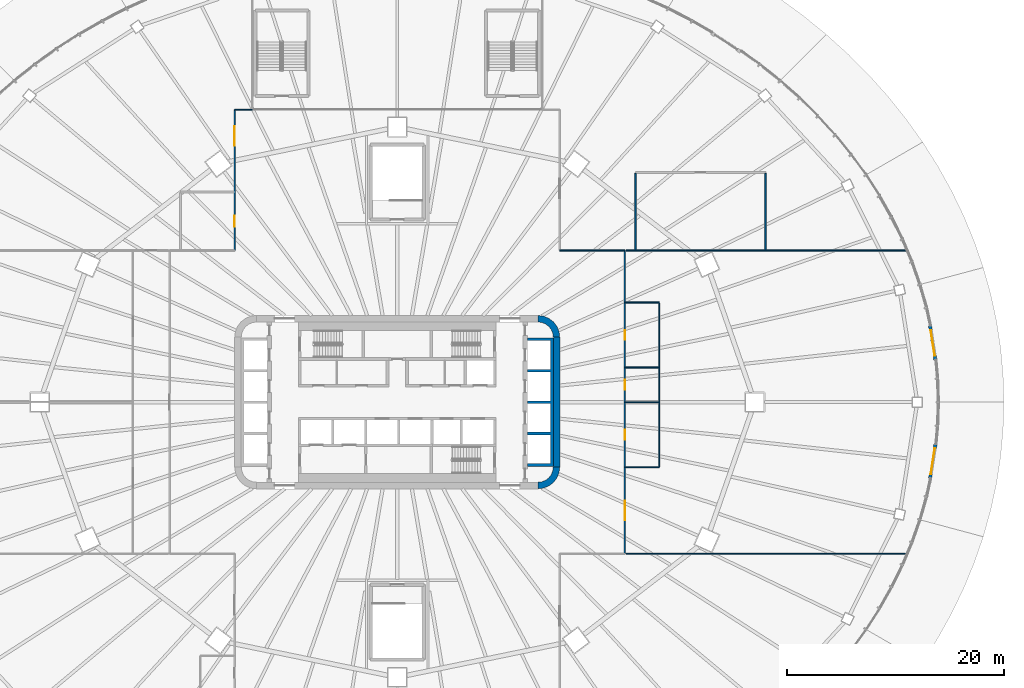
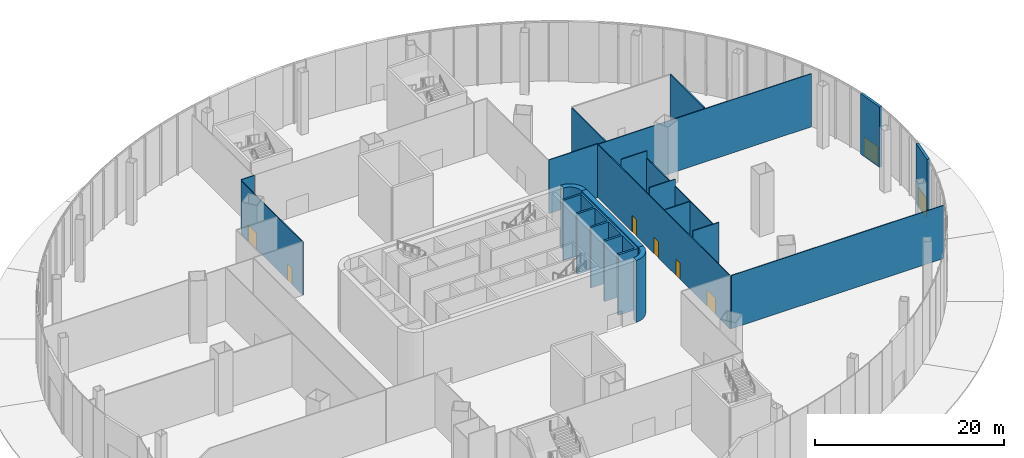
# One storey, part 19 of 36: 19 walls, 8 doors, 8 openings.
"""IFC4 building model written with IfcOpenShell, lengths in metres."""

import ifcopenshell
import ifcopenshell.guid

model = None  # the IFC model being written
_history = None  # IfcOwnerHistory: only IFC2X3 demands one
_inside = {}  # id of a spatial element -> (the spatial element, [elements in it])
_under = {}  # id of a project, library or spatial element -> (it, [spatial elements below it])
_declared = {}  # id of a project -> (the project, [libraries it declares])
_typed = {}  # id of a type object -> (the type object, [elements of that type])
_made_of = {}  # id of a material, layer set ... -> (it, [elements and type objects made of it])


def new_model(schema):
    """Start an empty IFC model of exactly this schema.

    Asked for "IFC4X3", IfcOpenShell would pick the latest addendum, in which some entities
    have other attributes; the version numbers below select the first issue.
    IFC2X3 requires an IfcOwnerHistory on every rooted entity: one is made here for all.
    """
    global model, _history
    if schema == "IFC4X3":
        model = ifcopenshell.file(schema_version=(4, 3, 0, 0))
    else:
        model = ifcopenshell.file(schema=schema)
    _inside.clear()
    _under.clear()
    _declared.clear()
    _typed.clear()
    _made_of.clear()
    _history = None
    if model.schema == "IFC2X3":
        org = make("IfcOrganization", Name="unknown")
        user = make(
            "IfcPersonAndOrganization",
            ThePerson=make("IfcPerson", FamilyName="unknown"),
            TheOrganization=org,
        )
        app = make(
            "IfcApplication",
            ApplicationDeveloper=org,
            Version="unknown",
            ApplicationFullName="unknown",
            ApplicationIdentifier="unknown",
        )
        _history = make(
            "IfcOwnerHistory",
            OwningUser=user,
            OwningApplication=app,
            ChangeAction="ADDED",
            CreationDate=0,
        )
    return model


def make(cls, **values):
    """One entity of the class cls with the attributes given. An attribute that is None is left unset."""
    return model.create_entity(
        cls, **{name: value for name, value in values.items() if value is not None}
    )


def rooted(cls, **values):
    """An entity with a GlobalId (a new one), such as an element, a storey or a relation."""
    return make(cls, GlobalId=ifcopenshell.guid.new(), OwnerHistory=_history, **values)


def si_unit(unit_type, name, prefix=None):
    """IfcSIUnit, for example si_unit("LENGTHUNIT", "METRE", prefix="MILLI")."""
    return make("IfcSIUnit", UnitType=unit_type, Prefix=prefix, Name=name)


def assignment(units):
    """IfcUnitAssignment: the units of a project."""
    return None if units is None else make("IfcUnitAssignment", Units=units)


def point(xyz):
    """IfcCartesianPoint."""
    return None if xyz is None else make("IfcCartesianPoint", Coordinates=xyz)


def direction(xyz):
    """IfcDirection."""
    return None if xyz is None else make("IfcDirection", DirectionRatios=xyz)


def frame(location, z_axis=None, x_axis=None):
    """IfcAxis2Placement3D, a coordinate frame: its origin and axes. An axis left out is left unset."""
    return make(
        "IfcAxis2Placement3D",
        Location=point(location),
        Axis=direction(z_axis),
        RefDirection=direction(x_axis),
    )


def frame_2d(location, x_axis=None):
    """IfcAxis2Placement2D, a coordinate frame in the plane: its origin and x axis."""
    return make(
        "IfcAxis2Placement2D", Location=point(location), RefDirection=direction(x_axis)
    )


def origin():
    """The frame at (0, 0, 0) with its axes left unset."""
    return frame((0.0, 0.0, 0.0))


def place(relative_to, where):
    """IfcLocalPlacement: puts the frame where relative to a parent placement (None: the world)."""
    return make(
        "IfcLocalPlacement", PlacementRelTo=relative_to, RelativePlacement=where
    )


def context(
    kind, dimensions, precision=None, world=None, true_north=None, identifier=None
):
    """IfcGeometricRepresentationContext, for example the 3D "Model" context."""
    return make(
        "IfcGeometricRepresentationContext",
        ContextIdentifier=identifier,
        ContextType=kind,
        CoordinateSpaceDimension=dimensions,
        Precision=precision,
        WorldCoordinateSystem=world,
        TrueNorth=true_north,
    )


def subcontext(parent, identifier, kind, view, scale=None):
    """IfcGeometricRepresentationSubContext, for example "Body" below "Model"."""
    return make(
        "IfcGeometricRepresentationSubContext",
        ContextIdentifier=identifier,
        ContextType=kind,
        ParentContext=parent,
        TargetScale=scale,
        TargetView=view,
    )


def project(units=None, contexts=None):
    """IfcProject with its units and contexts."""
    return rooted(
        "IfcProject",
        Name="project",
        RepresentationContexts=contexts,
        UnitsInContext=assignment(units),
    )


def spatial(cls, under=None, at=None, **own):
    """A site, building, storey or space (cls), placed at a placement, below another one or the project."""
    s = rooted(cls, ObjectPlacement=at, **own)
    if under is not None:
        _under.setdefault(under.id(), (under, []))[1].append(s)
    return s


def polyline(points):
    """IfcPolyline through the points."""
    return make("IfcPolyline", Points=[point(p) for p in points])


def profile(cls, at=None, kind="AREA", **sizes):
    """A parametric profile (cls). Its sizes go by their IFC names, for example OverallWidth=200.0."""
    return make(cls, ProfileType=kind, Position=at, **sizes)


def rectangle(**sizes):
    """IfcRectangleProfileDef."""
    return profile("IfcRectangleProfileDef", **sizes)


def outline(outer, holes=None, kind="AREA"):
    """IfcArbitraryClosedProfileDef: a profile drawn as a closed curve; with holes, ...WithVoids."""
    if holes is None:
        return make("IfcArbitraryClosedProfileDef", ProfileType=kind, OuterCurve=outer)
    return make(
        "IfcArbitraryProfileDefWithVoids",
        ProfileType=kind,
        OuterCurve=outer,
        InnerCurves=holes,
    )


def extrude(swept, where, along, depth):
    """IfcExtrudedAreaSolid: the profile swept, set in the frame where, extruded along a direction by depth."""
    return make(
        "IfcExtrudedAreaSolid",
        SweptArea=swept,
        Position=where,
        ExtrudedDirection=direction(along),
        Depth=depth,
    )


def shape(context_of_items, identifier, shape_type, items):
    """IfcShapeRepresentation: the items that make up one representation, for example the "Body"."""
    return make(
        "IfcShapeRepresentation",
        ContextOfItems=context_of_items,
        RepresentationIdentifier=identifier,
        RepresentationType=shape_type,
        Items=items,
    )


def material(Name=None, Category=None):
    """IfcMaterial."""
    return make("IfcMaterial", Name=Name, Category=Category)


def layer(
    of_material, thickness, ventilated=None, Name=None, Category=None, Priority=None
):
    """IfcMaterialLayer: one layer of a wall or slab, of a material (None: an air gap)."""
    return make(
        "IfcMaterialLayer",
        Material=of_material,
        LayerThickness=thickness,
        IsVentilated=ventilated,
        Name=Name,
        Category=Category,
        Priority=Priority,
    )


def layer_set(layers, Name=None):
    """IfcMaterialLayerSet."""
    return make("IfcMaterialLayerSet", MaterialLayers=layers, LayerSetName=Name)


def made_of(thing, what):
    """Note that an element or type object is made of a material, layer set ...; save() writes the relation."""
    if what is not None:
        _made_of.setdefault(what.id(), (what, []))[1].append(thing)
    return thing


def type_object(cls, material=None, **own):
    """A type object (cls), such as IfcWallType, which elements share."""
    return made_of(rooted(cls, **own), material)


def element(
    cls,
    number,
    at=None,
    inside=None,
    cuts=None,
    type_object=None,
    material=None,
    context=None,
    identifier="Body",
    shape_type=None,
    held_by="IfcProductDefinitionShape",
    body=None,
    shapes=None,
    **own,
):
    """One element of the class cls, such as IfcWall. Its Tag is "e" and its number.

    at: its placement. inside: the storey or other place that contains it. cuts: it is an
    opening in that element (IfcRelVoidsElement). A single representation is given by context,
    identifier, shape_type and body (its items); several are given by shapes. held_by: the class
    of the entity that holds the representations. save() writes the other relations.
    """
    e = rooted(cls, Tag="e%d" % number, ObjectPlacement=at, **own)
    if body is not None:
        shapes = [shape(context, identifier, shape_type, body)]
    if shapes is not None:
        e.Representation = make(held_by, Representations=shapes)
    if inside is not None:
        _inside.setdefault(inside.id(), (inside, []))[1].append(e)
    if cuts is not None:
        rooted(
            "IfcRelVoidsElement", RelatingBuildingElement=cuts, RelatedOpeningElement=e
        )
    if type_object is not None:
        _typed.setdefault(type_object.id(), (type_object, []))[1].append(e)
    return made_of(e, material)


def fill(opening, filler):
    """IfcRelFillsElement: the door or window that sits in an opening."""
    return rooted(
        "IfcRelFillsElement",
        RelatingOpeningElement=opening,
        RelatedBuildingElement=filler,
    )


def aggregate(whole, parts):
    """IfcRelAggregates: a whole, such as a stair, and the parts it consists of."""
    return rooted("IfcRelAggregates", RelatingObject=whole, RelatedObjects=parts)


def save(model, path):
    """Write the relations noted so far, then the file.

    IfcRelAggregates (storeys below a building ...), IfcRelContainedInSpatialStructure (elements
    in a storey), IfcRelDefinesByType, IfcRelAssociatesMaterial and IfcRelDeclares: one each for
    every whole, place, type object, material and project.
    """
    for whole, parts in _under.values():
        aggregate(whole, parts)
    for where, things in _inside.values():
        rooted(
            "IfcRelContainedInSpatialStructure",
            RelatedElements=things,
            RelatingStructure=where,
        )
    for kind, things in _typed.values():
        rooted("IfcRelDefinesByType", RelatedObjects=things, RelatingType=kind)
    for what, things in _made_of.values():
        rooted("IfcRelAssociatesMaterial", RelatedObjects=things, RelatingMaterial=what)
    for by, libraries in _declared.values():
        rooted("IfcRelDeclares", RelatingContext=by, RelatedDefinitions=libraries)
    model.write(path)


model = new_model("IFC4")

# Units and contexts
model_context = context("Model", 3, precision=1e-05, world=origin(), true_north=direction((0.0, 1.0)))
body_context = subcontext(model_context, "Body", "Model", "MODEL_VIEW")
ifc_project = project(units=[si_unit("LENGTHUNIT", "METRE"), si_unit("AREAUNIT", "SQUARE_METRE"), si_unit("VOLUMEUNIT", "CUBIC_METRE"), si_unit("PLANEANGLEUNIT", "RADIAN"), si_unit("MASSUNIT", "GRAM", prefix="KILO")], contexts=[model_context])

# Site, building, storey
site_placement = place(None, origin())
site = spatial("IfcSite", under=ifc_project, at=site_placement, CompositionType="ELEMENT")
building_placement = place(site_placement, origin())
building = spatial("IfcBuilding", under=site, at=building_placement, Name="Sahrelin Media Tower", CompositionType="ELEMENT")
storey_placement = place(building_placement, origin())
storey = spatial("IfcBuildingStorey", under=building, at=storey_placement, Name="L00", CompositionType="ELEMENT", Elevation=0.0)

# Walls
ifc_material_1 = material(Name="Concrete C60/75", Category="concrete")
ifc_layer_1 = layer(ifc_material_1, 0.60009765625)
ifc_layer_set_1 = layer_set([ifc_layer_1], Name="Core wall 600")
wall_type_1 = type_object("IfcWallType", Name="Core wall 600", PredefinedType="SHEAR", material=ifc_layer_set_1)
wall_1_placement = place(storey_placement, frame((14.699951171875, -6.0, 0.0), z_axis=(0.0, 0.0, 1.0), x_axis=(0.0, 1.0, 0.0)))
element("IfcWall", 1, at=wall_1_placement, inside=storey, type_object=wall_type_1, Name="Core wall E L00", PredefinedType="SHEAR", context=body_context, shape_type="SweptSolid", body=[
    extrude(rectangle(XDim=12.0, YDim=0.60009765625, at=frame_2d((6.0, 0.0))), origin(), (0.0, 0.0, 1.0), 8.0),
])
placement = place(storey_placement, origin())
element("IfcWall", 2, at=placement, inside=storey, type_object=wall_type_1, Name="Core wall corner NE L00", PredefinedType="SHEAR", context=body_context, shape_type="SweptSolid", body=[
    extrude(outline(polyline([(13.0, 8.0), (13.0, 7.394775390625), (13.361083984375, 7.347412109375), (13.697509765625, 7.2080078125), (13.986328125, 6.986328125), (14.2080078125, 6.697509765625), (14.347412109375, 6.361083984375), (14.394775390625, 6.0), (15.0, 6.0), (14.931884765625, 6.517578125), (14.732177734375, 7.0), (14.414306640625, 7.414306640625), (14.0, 7.732177734375), (13.517578125, 7.931884765625), (13.0, 8.0)])), origin(), (0.0, 0.0, 1.0), 8.0),
])
element("IfcWall", 3, at=placement, inside=storey, type_object=wall_type_1, Name="Core wall corner SE L00", PredefinedType="SHEAR", context=body_context, shape_type="SweptSolid", body=[
    extrude(outline(polyline([(15.0, -6.0), (14.394775390625, -6.0), (14.347412109375, -6.361083984375), (14.2080078125, -6.697509765625), (13.986328125, -6.986328125), (13.697509765625, -7.2080078125), (13.361083984375, -7.347412109375), (13.0, -7.394775390625), (13.0, -8.0), (13.517578125, -7.931884765625), (14.0, -7.732177734375), (14.414306640625, -7.414306640625), (14.732177734375, -7.0), (14.931884765625, -6.517578125), (15.0, -6.0)])), origin(), (0.0, 0.0, 1.0), 8.0),
])

# Wall, opening, door
ifc_material_2 = material(Name="Concrete C40/50", Category="concrete")
ifc_layer_2 = layer(ifc_material_2, 0.300048828125)
ifc_layer_set_2 = layer_set([ifc_layer_2], Name="Entrance pier wall")
wall_type_2 = type_object("IfcWallType", Name="Entrance pier wall", PredefinedType="SOLIDWALL", material=ifc_layer_set_2)
wall_4_placement = place(storey_placement, frame((49.671630859375, 3.878173828125, 0.0), z_axis=(0.0, 0.0, 1.0), x_axis=(-0.154877245759, 0.987933721839, 0.0)))
wall_4 = element("IfcWall", 4, at=wall_4_placement, inside=storey, type_object=wall_type_2, Name="Entrance pier wall E15", PredefinedType="SOLIDWALL", context=body_context, shape_type="SweptSolid", body=[
    extrude(rectangle(XDim=3.199951171875, YDim=0.300048828125, at=frame_2d((1.60009765625, 0.0))), origin(), (0.0, 0.0, 1.0), 7.800048828125),
])
opening_1_placement = place(wall_4_placement, frame((0.39990234375, 0.0, 0.0)))
opening_1 = element("IfcOpeningElement", 5, at=opening_1_placement, cuts=wall_4, Name="Opening L00-D77", PredefinedType="OPENING", context=body_context, shape_type="SweptSolid", body=[
    extrude(rectangle(XDim=2.39990234375, YDim=2.39990234375, at=frame_2d((1.199951171875, 1.199951171875))), frame((0.0, 0.14990234375, 0.0), z_axis=(0.0, -1.0, 0.0), x_axis=(1.0, 0.0, 0.0)), (0.0, 0.0, 1.0), 0.300048828125),
])
ifc_material_3 = material(Name="Champagne anodised aluminium 6063-T6", Category="aluminium")
door_type_1 = type_object("IfcDoorType", Name="Entrance door, automatic double 2400x2400", OperationType="DOUBLE_DOOR_SLIDING", PredefinedType="DOOR", material=ifc_material_3)
door_1_placement = place(opening_1_placement, origin())
door_1 = element("IfcDoor", 6, at=door_1_placement, inside=storey, type_object=door_type_1, Name="L00:DOOR:E15", OperationType="DOUBLE_DOOR_SLIDING", OverallHeight=2.39990234375, OverallWidth=2.39990234375, PredefinedType="DOOR", context=body_context, shape_type="SweptSolid", body=[
    extrude(rectangle(XDim=2.39990234375, YDim=2.39990234375, at=frame_2d((1.199951171875, 1.199951171875))), frame((0.0, 0.02490234375, 0.0), z_axis=(0.0, -1.0, 0.0), x_axis=(1.0, 0.0, 0.0)), (0.0, 0.0, 1.0), 0.050048828125),
])
fill(opening_1, door_1)

wall_5_placement = place(storey_placement, frame((49.176025390625, -7.03955078125, 0.0), z_axis=(0.0, 0.0, 1.0), x_axis=(0.154877245759, 0.987933721839, 0.0)))
wall_5 = element("IfcWall", 7, at=wall_5_placement, inside=storey, type_object=wall_type_2, Name="Entrance pier wall E16", PredefinedType="SOLIDWALL", context=body_context, shape_type="SweptSolid", body=[
    extrude(rectangle(XDim=3.199951171875, YDim=0.300048828125, at=frame_2d((1.60009765625, 0.0))), origin(), (0.0, 0.0, 1.0), 7.800048828125),
])
opening_2_placement = place(wall_5_placement, frame((0.39990234375, 0.0, 0.0)))
opening_2 = element("IfcOpeningElement", 8, at=opening_2_placement, cuts=wall_5, Name="Opening L00-D78", PredefinedType="OPENING", context=body_context, shape_type="SweptSolid", body=[
    extrude(rectangle(XDim=2.39990234375, YDim=2.39990234375, at=frame_2d((1.199951171875, 1.199951171875))), frame((0.0, 0.14990234375, 0.0), z_axis=(0.0, -1.0, 0.0), x_axis=(1.0, 0.0, 0.0)), (0.0, 0.0, 1.0), 0.300048828125),
])
door_2_placement = place(opening_2_placement, origin())
door_2 = element("IfcDoor", 9, at=door_2_placement, inside=storey, type_object=door_type_1, Name="L00:DOOR:E16", OperationType="DOUBLE_DOOR_SLIDING", OverallHeight=2.39990234375, OverallWidth=2.39990234375, PredefinedType="DOOR", context=body_context, shape_type="SweptSolid", body=[
    extrude(rectangle(XDim=2.39990234375, YDim=2.39990234375, at=frame_2d((1.199951171875, 1.199951171875))), frame((0.0, 0.02490234375, 0.0), z_axis=(0.0, -1.0, 0.0), x_axis=(1.0, 0.0, 0.0)), (0.0, 0.0, 1.0), 0.050048828125),
])
fill(opening_2, door_2)

# Walls
ifc_material_4 = material(Name="Fire-rated gypsum board partition")
ifc_layer_3 = layer(ifc_material_4, 0.14990234375)
ifc_layer_set_3 = layer_set([ifc_layer_3], Name="Fire-rated partition 150")
wall_type_3 = type_object("IfcWallType", Name="Fire-rated partition 150", PredefinedType="PARTITIONING", material=ifc_layer_set_3)
wall_6_placement = place(storey_placement, frame((22.0, 14.050048828125, 0.0), z_axis=(0.0, 0.0, 1.0), x_axis=(0.0, 1.0, 0.0)))
element("IfcWall", 10, at=wall_6_placement, inside=storey, type_object=wall_type_3, Name="Wall", PredefinedType="PARTITIONING", context=body_context, shape_type="SweptSolid", body=[
    extrude(rectangle(XDim=7.074951171875, YDim=0.14990234375, at=frame_2d((3.53759765625, 0.0))), origin(), (0.0, 0.0, 1.0), 6.8681640625),
])
wall_7_placement = place(storey_placement, frame((34.0, 14.050048828125, 0.0), z_axis=(0.0, 0.0, 1.0), x_axis=(0.0, 1.0, 0.0)))
element("IfcWall", 11, at=wall_7_placement, inside=storey, type_object=wall_type_3, Name="Wall", PredefinedType="PARTITIONING", context=body_context, shape_type="SweptSolid", body=[
    extrude(rectangle(XDim=7.074951171875, YDim=0.14990234375, at=frame_2d((3.53759765625, 0.0))), origin(), (0.0, 0.0, 1.0), 7.02587890625),
])
ifc_layer_4 = layer(ifc_material_1, 0.25)
ifc_layer_set_4 = layer_set([ifc_layer_4], Name="Lift shaft wall 250")
wall_type_4 = type_object("IfcWallType", Name="Lift shaft wall 250", PredefinedType="SOLIDWALL", material=ifc_layer_set_4)
element("IfcWall", 12, at=placement, inside=storey, type_object=wall_type_4, Name="Lift shaft wall", PredefinedType="SOLIDWALL", context=body_context, shape_type="SweptSolid", body=[
    extrude(outline(polyline([(12.0, -5.675048828125), (12.0, -5.925048828125), (14.14990234375, -5.925048828125), (14.39990234375, -5.925048828125), (14.39990234375, -5.675048828125), (14.39990234375, -3.02490234375), (14.39990234375, -2.77490234375), (14.39990234375, -0.125), (14.39990234375, 0.125), (14.39990234375, 2.77490234375), (14.39990234375, 3.02490234375), (14.39990234375, 5.675048828125), (14.39990234375, 5.925048828125), (14.14990234375, 5.925048828125), (12.0, 5.925048828125), (12.0, 5.675048828125), (14.14990234375, 5.675048828125), (14.14990234375, 3.02490234375), (12.0, 3.02490234375), (12.0, 2.77490234375), (14.14990234375, 2.77490234375), (14.14990234375, 0.125), (12.0, 0.125), (12.0, -0.125), (14.14990234375, -0.125), (14.14990234375, -2.77490234375), (12.0, -2.77490234375), (12.0, -3.02490234375), (14.14990234375, -3.02490234375), (14.14990234375, -5.675048828125), (12.0, -5.675048828125)])), origin(), (0.0, 0.0, 1.0), 7.800048828125),
])
ifc_material_5 = material(Name="Gypsum board partition")
ifc_layer_5 = layer(ifc_material_5, 0.10009765625)
ifc_layer_set_5 = layer_set([ifc_layer_5], Name="Partition 100")
wall_type_5 = type_object("IfcWallType", Name="Partition 100", PredefinedType="PARTITIONING", material=ifc_layer_set_5)
wall_9_placement = place(storey_placement, frame((15.0, 14.0, 0.0), z_axis=(0.0, 0.0, 1.0), x_axis=(1.0, 0.0, 0.0)))
element("IfcWall", 13, at=wall_9_placement, inside=storey, type_object=wall_type_5, Name="Wall", PredefinedType="PARTITIONING", context=body_context, shape_type="SweptSolid", body=[
    extrude(rectangle(XDim=6.0, YDim=0.10009765625, at=frame_2d((3.0, 0.0))), origin(), (0.0, 0.0, 1.0), 6.9453125),
])

# Wall, openings, doors
wall_10_placement = place(storey_placement, frame((21.0, 14.0, 0.0), z_axis=(0.0, 0.0, 1.0), x_axis=(0.0, -1.0, 0.0)))
wall_10 = element("IfcWall", 14, at=wall_10_placement, inside=storey, type_object=wall_type_5, Name="Wall", PredefinedType="PARTITIONING", context=body_context, shape_type="SweptSolid", body=[
    extrude(rectangle(XDim=28.0, YDim=0.10009765625, at=frame_2d((14.0, 0.0))), origin(), (0.0, 0.0, 1.0), 6.876953125),
])
opening_3_placement = place(wall_10_placement, frame((23.10009765625, 0.0, 0.0)))
opening_3 = element("IfcOpeningElement", 15, at=opening_3_placement, cuts=wall_10, Name="Opening L00-D28", PredefinedType="OPENING", context=body_context, shape_type="SweptSolid", body=[
    extrude(rectangle(XDim=1.800048828125, YDim=2.10009765625, at=frame_2d((0.89990234375, 1.050048828125))), frame((0.0, 0.050048828125, 0.0), z_axis=(0.0, -1.0, 0.0), x_axis=(1.0, 0.0, 0.0)), (0.0, 0.0, 1.0), 0.10009765625),
])
opening_4_placement = place(wall_10_placement, frame((16.550048828125, 0.0, 0.0)))
opening_4 = element("IfcOpeningElement", 16, at=opening_4_placement, cuts=wall_10, Name="Opening L00-D29", PredefinedType="OPENING", context=body_context, shape_type="SweptSolid", body=[
    extrude(rectangle(XDim=0.89990234375, YDim=2.10009765625, at=frame_2d((0.449951171875, 1.050048828125))), frame((0.0, 0.050048828125, 0.0), z_axis=(0.0, -1.0, 0.0), x_axis=(1.0, 0.0, 0.0)), (0.0, 0.0, 1.0), 0.10009765625),
])
opening_5_placement = place(wall_10_placement, frame((11.949951171875, 0.0, 0.0)))
opening_5 = element("IfcOpeningElement", 17, at=opening_5_placement, cuts=wall_10, Name="Opening L00-D30", PredefinedType="OPENING", context=body_context, shape_type="SweptSolid", body=[
    extrude(rectangle(XDim=0.89990234375, YDim=2.10009765625, at=frame_2d((0.449951171875, 1.050048828125))), frame((0.0, 0.050048828125, 0.0), z_axis=(0.0, -1.0, 0.0), x_axis=(1.0, 0.0, 0.0)), (0.0, 0.0, 1.0), 0.10009765625),
])
opening_6_placement = place(wall_10_placement, frame((7.35009765625, 0.0, 0.0)))
opening_6 = element("IfcOpeningElement", 18, at=opening_6_placement, cuts=wall_10, Name="Opening L00-D31", PredefinedType="OPENING", context=body_context, shape_type="SweptSolid", body=[
    extrude(rectangle(XDim=0.89990234375, YDim=2.10009765625, at=frame_2d((0.449951171875, 1.050048828125))), frame((0.0, 0.050048828125, 0.0), z_axis=(0.0, -1.0, 0.0), x_axis=(1.0, 0.0, 0.0)), (0.0, 0.0, 1.0), 0.10009765625),
])
ifc_material_6 = material(Name="Timber door leaf", Category="wood")
door_type_2 = type_object("IfcDoorType", Name="Double door 1800 x 2100", OperationType="DOUBLE_DOOR_SINGLE_SWING", PredefinedType="DOOR", material=ifc_material_6)
door_3_placement = place(opening_3_placement, origin())
door_3 = element("IfcDoor", 19, at=door_3_placement, inside=storey, type_object=door_type_2, Name="Double door", OperationType="DOUBLE_DOOR_SINGLE_SWING", OverallHeight=2.10009765625, OverallWidth=1.800048828125, PredefinedType="DOOR", context=body_context, shape_type="SweptSolid", body=[
    extrude(rectangle(XDim=1.800048828125, YDim=2.10009765625, at=frame_2d((0.89990234375, 1.050048828125))), frame((0.0, 0.02490234375, 0.0), z_axis=(0.0, -1.0, 0.0), x_axis=(1.0, 0.0, 0.0)), (0.0, 0.0, 1.0), 0.050048828125),
])
fill(opening_3, door_3)
door_type_3 = type_object("IfcDoorType", Name="Single door 900 x 2100", OperationType="NOTDEFINED", PredefinedType="DOOR", material=ifc_material_6)
door_4_placement = place(opening_4_placement, origin())
door_4 = element("IfcDoor", 20, at=door_4_placement, inside=storey, type_object=door_type_3, Name="Single door", OperationType="SINGLE_SWING_RIGHT", OverallHeight=2.10009765625, OverallWidth=0.89990234375, PredefinedType="DOOR", context=body_context, shape_type="SweptSolid", body=[
    extrude(rectangle(XDim=0.89990234375, YDim=2.10009765625, at=frame_2d((0.449951171875, 1.050048828125))), frame((0.0, 0.02490234375, 0.0), z_axis=(0.0, -1.0, 0.0), x_axis=(1.0, 0.0, 0.0)), (0.0, 0.0, 1.0), 0.050048828125),
])
fill(opening_4, door_4)
door_5_placement = place(opening_5_placement, origin())
door_5 = element("IfcDoor", 21, at=door_5_placement, inside=storey, type_object=door_type_3, Name="Single door", OperationType="SINGLE_SWING_LEFT", OverallHeight=2.10009765625, OverallWidth=0.89990234375, PredefinedType="DOOR", context=body_context, shape_type="SweptSolid", body=[
    extrude(rectangle(XDim=0.89990234375, YDim=2.10009765625, at=frame_2d((0.449951171875, 1.050048828125))), frame((0.0, 0.02490234375, 0.0), z_axis=(0.0, -1.0, 0.0), x_axis=(1.0, 0.0, 0.0)), (0.0, 0.0, 1.0), 0.050048828125),
])
fill(opening_5, door_5)
door_6_placement = place(opening_6_placement, origin())
door_6 = element("IfcDoor", 22, at=door_6_placement, inside=storey, type_object=door_type_3, Name="Single door", OperationType="SINGLE_SWING_LEFT", OverallHeight=2.10009765625, OverallWidth=0.89990234375, PredefinedType="DOOR", context=body_context, shape_type="SweptSolid", body=[
    extrude(rectangle(XDim=0.89990234375, YDim=2.10009765625, at=frame_2d((0.449951171875, 1.050048828125))), frame((0.0, 0.02490234375, 0.0), z_axis=(0.0, -1.0, 0.0), x_axis=(1.0, 0.0, 0.0)), (0.0, 0.0, 1.0), 0.050048828125),
])
fill(opening_6, door_6)

# Wall
wall_11_placement = place(storey_placement, frame((-13.39990234375, 27.0, 0.0), z_axis=(0.0, 0.0, 1.0), x_axis=(-1.0, 0.0, 0.0)))
element("IfcWall", 23, at=wall_11_placement, inside=storey, type_object=wall_type_5, Name="Wall", PredefinedType="PARTITIONING", context=body_context, shape_type="SweptSolid", body=[
    extrude(rectangle(XDim=1.60009765625, YDim=0.10009765625, at=frame_2d((0.800048828125, 0.0))), origin(), (0.0, 0.0, 1.0), 7.02587890625),
])

# Wall, openings, doors
wall_12_placement = place(storey_placement, frame((-15.0, 27.0, 0.0), z_axis=(0.0, 0.0, 1.0), x_axis=(0.0, -1.0, 0.0)))
wall_12 = element("IfcWall", 24, at=wall_12_placement, inside=storey, type_object=wall_type_5, Name="Wall", PredefinedType="PARTITIONING", context=body_context, shape_type="SweptSolid", body=[
    extrude(rectangle(XDim=13.0, YDim=0.10009765625, at=frame_2d((6.5, 0.0))), origin(), (0.0, 0.0, 1.0), 6.8681640625),
])
opening_7_placement = place(wall_12_placement, frame((1.52490234375, 0.0, 0.0)))
opening_7 = element("IfcOpeningElement", 25, at=opening_7_placement, cuts=wall_12, Name="Opening L00-D32", PredefinedType="OPENING", context=body_context, shape_type="SweptSolid", body=[
    extrude(rectangle(XDim=1.800048828125, YDim=2.10009765625, at=frame_2d((0.89990234375, 1.050048828125))), frame((0.0, 0.050048828125, 0.0), z_axis=(0.0, -1.0, 0.0), x_axis=(1.0, 0.0, 0.0)), (0.0, 0.0, 1.0), 0.10009765625),
])
opening_8_placement = place(wall_12_placement, frame((9.800048828125, 0.0, 0.0)))
opening_8 = element("IfcOpeningElement", 26, at=opening_8_placement, cuts=wall_12, Name="Opening L00-D35", PredefinedType="OPENING", context=body_context, shape_type="SweptSolid", body=[
    extrude(rectangle(XDim=1.0, YDim=2.10009765625, at=frame_2d((0.5, 1.050048828125))), frame((0.0, 0.050048828125, 0.0), z_axis=(0.0, -1.0, 0.0), x_axis=(1.0, 0.0, 0.0)), (0.0, 0.0, 1.0), 0.10009765625),
])
door_7_placement = place(opening_7_placement, origin())
door_7 = element("IfcDoor", 27, at=door_7_placement, inside=storey, type_object=door_type_2, Name="Double door", OperationType="DOUBLE_DOOR_SINGLE_SWING", OverallHeight=2.10009765625, OverallWidth=1.800048828125, PredefinedType="DOOR", context=body_context, shape_type="SweptSolid", body=[
    extrude(rectangle(XDim=1.800048828125, YDim=2.10009765625, at=frame_2d((0.89990234375, 1.050048828125))), frame((0.0, 0.02490234375, 0.0), z_axis=(0.0, -1.0, 0.0), x_axis=(1.0, 0.0, 0.0)), (0.0, 0.0, 1.0), 0.050048828125),
])
fill(opening_7, door_7)
door_type_4 = type_object("IfcDoorType", Name="Single door 1000 x 2100", OperationType="NOTDEFINED", PredefinedType="DOOR", material=ifc_material_6)
door_8_placement = place(opening_8_placement, origin())
door_8 = element("IfcDoor", 28, at=door_8_placement, inside=storey, type_object=door_type_4, Name="Single door", OperationType="SINGLE_SWING_RIGHT", OverallHeight=2.10009765625, OverallWidth=1.0, PredefinedType="DOOR", context=body_context, shape_type="SweptSolid", body=[
    extrude(rectangle(XDim=1.0, YDim=2.10009765625, at=frame_2d((0.5, 1.050048828125))), frame((0.0, 0.02490234375, 0.0), z_axis=(0.0, -1.0, 0.0), x_axis=(1.0, 0.0, 0.0)), (0.0, 0.0, 1.0), 0.050048828125),
])
fill(opening_8, door_8)

# Walls
for number, where, z_axis, x_axis, name in (
    (29, (21.12060546875, 14.0, 0.0), (0.0, 0.0, 1.0), (1.0, 0.0, 0.0), "Wall"),
    (30, (21.12060546875, -14.0, 0.0), (0.0, 0.0, 1.0), (1.0, 0.0, 0.0), "Wall"),
):
    element("IfcWall", number, at=place(storey_placement, frame(where, z_axis=z_axis, x_axis=x_axis)), inside=storey, type_object=wall_type_5, Name=name, PredefinedType="PARTITIONING", context=body_context, shape_type="SweptSolid", body=[
        extrude(rectangle(XDim=25.89990234375, YDim=0.10009765625, at=frame_2d((12.949951171875, 0.0))), origin(), (0.0, 0.0, 1.0), 6.8681640625),
    ])
wall_13_placement = place(storey_placement, frame((21.050048828125, -6.0, 0.0), z_axis=(0.0, 0.0, 1.0), x_axis=(1.0, 0.0, 0.0)))
element("IfcWall", 31, at=wall_13_placement, inside=storey, type_object=wall_type_5, Name="Wall", PredefinedType="PARTITIONING", context=body_context, shape_type="SweptSolid", body=[
    extrude(rectangle(XDim=3.14990234375, YDim=0.10009765625, at=frame_2d((1.574951171875, 0.0))), origin(), (0.0, 0.0, 1.0), 7.800048828125),
])
wall_14_placement = place(storey_placement, frame((21.050048828125, 0.0, 0.0), z_axis=(0.0, 0.0, 1.0), x_axis=(1.0, 0.0, 0.0)))
element("IfcWall", 32, at=wall_14_placement, inside=storey, type_object=wall_type_5, Name="Wall", PredefinedType="PARTITIONING", context=body_context, shape_type="SweptSolid", body=[
    extrude(rectangle(XDim=3.14990234375, YDim=0.10009765625, at=frame_2d((1.574951171875, 0.0))), origin(), (0.0, 0.0, 1.0), 6.876953125),
])
for number, where, z_axis, x_axis, name in (
    (33, (21.050048828125, 3.199951171875, 0.0), (0.0, 0.0, 1.0), (1.0, 0.0, 0.0), "Wall"),
    (34, (21.050048828125, 9.199951171875, 0.0), (0.0, 0.0, 1.0), (1.0, 0.0, 0.0), "Wall"),
):
    element("IfcWall", number, at=place(storey_placement, frame(where, z_axis=z_axis, x_axis=x_axis)), inside=storey, type_object=wall_type_5, Name=name, PredefinedType="PARTITIONING", context=body_context, shape_type="SweptSolid", body=[
        extrude(rectangle(XDim=3.14990234375, YDim=0.10009765625, at=frame_2d((1.574951171875, 0.0))), origin(), (0.0, 0.0, 1.0), 7.800048828125),
    ])
wall_15_placement = place(storey_placement, frame((24.199951171875, -5.949951171875, 0.0), z_axis=(0.0, 0.0, 1.0), x_axis=(0.0, 1.0, 0.0)))
element("IfcWall", 35, at=wall_15_placement, inside=storey, type_object=wall_type_5, Name="Wall", PredefinedType="PARTITIONING", context=body_context, shape_type="SweptSolid", body=[
    extrude(rectangle(XDim=15.099853515625, YDim=0.10009765625, at=frame_2d((7.5498046875, 0.0))), origin(), (0.0, 0.0, 1.0), 6.876953125),
])

save(model, "model.ifc")
